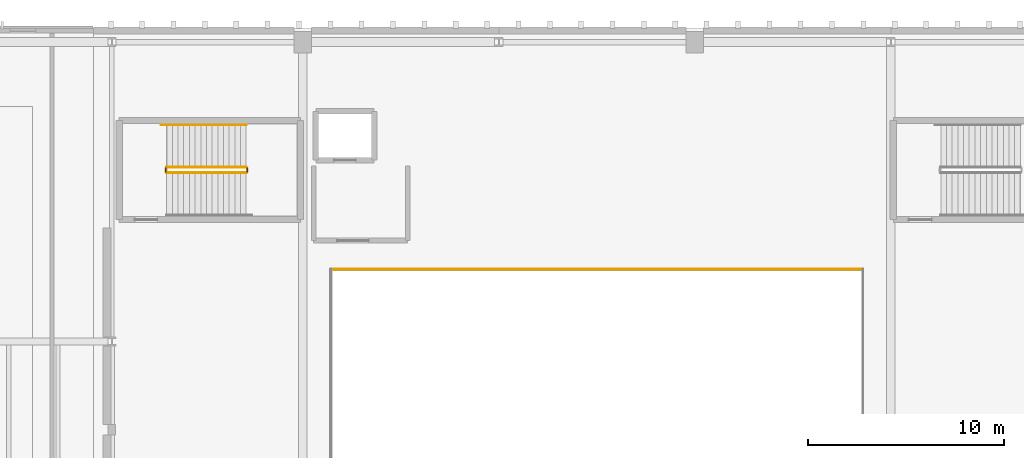
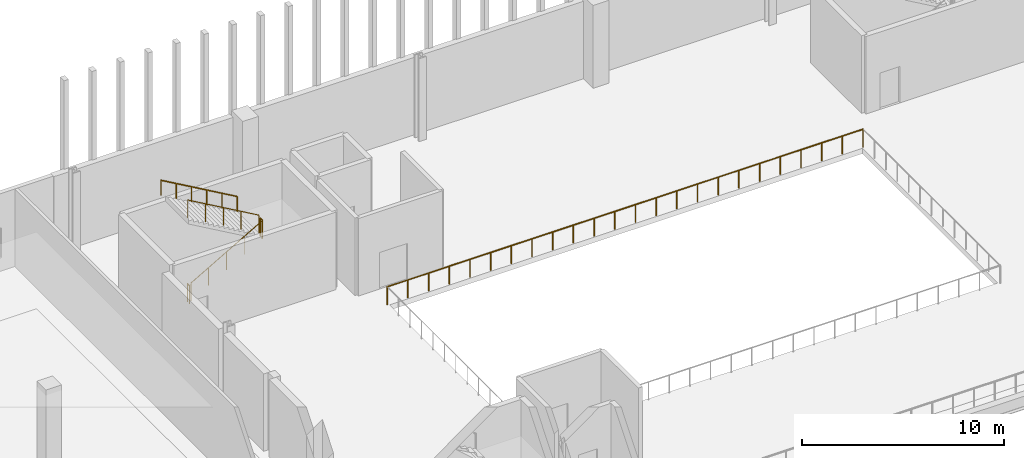
# One storey, part 76 of 81: 6 railings.
"""IFC4 building model written with IfcOpenShell, lengths in metres."""

from ifc_helpers import new_model, si_unit, direction, frame, origin, origin_2d, place, context, subcontext, project, spatial, circle, extrude, material, type_object, element, save


model = new_model("IFC4")

# Units and contexts
model_context = context("Model", 3, precision=1e-05, world=origin(), true_north=direction((0.0, 1.0)))
body_context = subcontext(model_context, "Body", "Model", "MODEL_VIEW")
ifc_project = project(units=[si_unit("LENGTHUNIT", "METRE"), si_unit("AREAUNIT", "SQUARE_METRE"), si_unit("VOLUMEUNIT", "CUBIC_METRE"), si_unit("PLANEANGLEUNIT", "RADIAN"), si_unit("MASSUNIT", "GRAM", prefix="KILO")], contexts=[model_context])

# Site, building, storey
site_placement = place(None, origin())
site = spatial("IfcSite", under=ifc_project, at=site_placement, CompositionType="ELEMENT")
building_placement = place(site_placement, origin())
building = spatial("IfcBuilding", under=site, at=building_placement, Name="Trimount Lyric Opera House", CompositionType="ELEMENT")
storey_placement = place(building_placement, frame((0.0, 0.0, 5.0)))
storey = spatial("IfcBuildingStorey", under=building, at=storey_placement, Name="L01", CompositionType="ELEMENT", Elevation=5.0)

# Railings
ifc_material_1 = material(Name="Brushed Stainless Steel 316", Category="steel")
railing_type_1 = type_object("IfcRailingType", Name="RL-GRD110", PredefinedType="GUARDRAIL", material=ifc_material_1)
railing_1_placement = place(storey_placement, frame((67.050048828125, 110.60009765625, 0.166748046875)))
element("IfcRailing", 1, at=railing_1_placement, inside=storey, type_object=railing_type_1, Name="L01 ST-01 stair guard 1", PredefinedType="GUARDRAIL", context=body_context, shape_type="SweptSolid", body=[
    extrude(circle(Radius=0.02392578125, at=origin_2d()), frame((0.0, 0.0, 1.076171875), z_axis=(0.867024558463, 0.0, 0.498265406207), x_axis=(0.0, 1.0, 0.0)), (0.0, 0.0, 1.0), 4.682861328125),
    extrude(circle(Radius=0.02099609375, at=origin_2d()), origin(), (0.0, 0.0, 1.0), 1.052001953125),
    extrude(circle(Radius=0.02099609375, at=origin_2d()), frame((1.01513671875, 0.0, 0.583251953125)), (0.0, 0.0, 1.0), 1.052001953125),
    extrude(circle(Radius=0.02099609375, at=origin_2d()), frame((2.030029296875, 0.0, 1.16650390625)), (0.0, 0.0, 1.0), 1.052001953125),
    extrude(circle(Radius=0.02099609375, at=origin_2d()), frame((3.044921875, 0.0, 1.75)), (0.0, 0.0, 1.0), 1.052001953125),
    extrude(circle(Radius=0.02099609375, at=origin_2d()), frame((4.06005859375, 0.0, 2.333251953125)), (0.0, 0.0, 1.0), 1.052001953125),
])
railing_2_placement = place(storey_placement, frame((71.159912109375, 110.64990234375, 2.5)))
element("IfcRailing", 2, at=railing_2_placement, inside=storey, type_object=railing_type_1, Name="L01 ST-01 stair guard 2", PredefinedType="GUARDRAIL", context=body_context, shape_type="SweptSolid", body=[
    extrude(circle(Radius=0.02392578125, at=origin_2d()), frame((0.0, 0.0, 1.076171875), z_axis=(0.0, 1.0, 0.0), x_axis=(-1.0, 0.0, 0.0)), (0.0, 0.0, 1.0), 0.2001953125),
    extrude(circle(Radius=0.02099609375, at=origin_2d()), origin(), (0.0, 0.0, 1.0), 1.052001953125),
    extrude(circle(Radius=0.02099609375, at=origin_2d()), frame((0.0, 0.2001953125, 0.0)), (0.0, 0.0, 1.0), 1.052001953125),
])
railing_3_placement = place(storey_placement, frame((71.110107421875, 110.89990234375, 2.666748046875)))
element("IfcRailing", 3, at=railing_3_placement, inside=storey, type_object=railing_type_1, Name="L01 ST-01 stair guard 3", PredefinedType="GUARDRAIL", context=body_context, shape_type="SweptSolid", body=[
    extrude(circle(Radius=0.02392578125, at=origin_2d()), frame((0.0, 0.0, 1.076171875), z_axis=(-0.867024558463, 0.0, 0.498265406207), x_axis=(0.0, -1.0, 0.0)), (0.0, 0.0, 1.0), 4.682861328125),
    extrude(circle(Radius=0.02099609375, at=origin_2d()), origin(), (0.0, 0.0, 1.0), 1.052001953125),
    extrude(circle(Radius=0.02099609375, at=origin_2d()), frame((-1.01513671875, 0.0, 0.583251953125)), (0.0, 0.0, 1.0), 1.052001953125),
    extrude(circle(Radius=0.02099609375, at=origin_2d()), frame((-2.030029296875, 0.0, 1.16650390625)), (0.0, 0.0, 1.0), 1.052001953125),
    extrude(circle(Radius=0.02099609375, at=origin_2d()), frame((-3.044921875, 0.0, 1.75)), (0.0, 0.0, 1.0), 1.052001953125),
    extrude(circle(Radius=0.02099609375, at=origin_2d()), frame((-4.06005859375, 0.0, 2.333251953125)), (0.0, 0.0, 1.0), 1.052001953125),
])
railing_4_placement = place(storey_placement, frame((67.0, 110.64990234375, 0.0)))
element("IfcRailing", 4, at=railing_4_placement, inside=storey, type_object=railing_type_1, Name="L01 ST-01 stair guard 4", PredefinedType="GUARDRAIL", context=body_context, shape_type="SweptSolid", body=[
    extrude(circle(Radius=0.02392578125, at=origin_2d()), frame((0.0, 0.0, 1.076171875), z_axis=(0.0, 1.0, 0.0), x_axis=(-1.0, 0.0, 0.0)), (0.0, 0.0, 1.0), 0.2001953125),
    extrude(circle(Radius=0.02099609375, at=origin_2d()), origin(), (0.0, 0.0, 1.0), 1.052001953125),
    extrude(circle(Radius=0.02099609375, at=origin_2d()), frame((0.0, 0.2001953125, 0.0)), (0.0, 0.0, 1.0), 1.052001953125),
])
railing_5_placement = place(storey_placement, frame((102.580078125, 105.679931640625, 0.0)))
element("IfcRailing", 5, at=railing_5_placement, inside=storey, type_object=railing_type_1, Name="L01 atrium and balcony guard GRD-FLY-L01-N", PredefinedType="GUARDRAIL", context=body_context, shape_type="SweptSolid", body=[
    extrude(circle(Radius=0.02392578125, at=origin_2d()), frame((0.0, 0.0, 1.076171875), z_axis=(-1.0, 0.0, 0.0), x_axis=(0.0, -1.0, 0.0)), (0.0, 0.0, 1.0), 27.16015625),
    extrude(circle(Radius=0.02099609375, at=origin_2d()), origin(), (0.0, 0.0, 1.0), 1.052001953125),
    extrude(circle(Radius=0.02099609375, at=origin_2d()), frame((-1.180908203125, 0.0, 0.0)), (0.0, 0.0, 1.0), 1.052001953125),
    extrude(circle(Radius=0.02099609375, at=origin_2d()), frame((-2.36181640625, 0.0, 0.0)), (0.0, 0.0, 1.0), 1.052001953125),
    extrude(circle(Radius=0.02099609375, at=origin_2d()), frame((-3.542724609375, 0.0, 0.0)), (0.0, 0.0, 1.0), 1.052001953125),
    extrude(circle(Radius=0.02099609375, at=origin_2d()), frame((-4.723388671875, 0.0, 0.0)), (0.0, 0.0, 1.0), 1.052001953125),
    extrude(circle(Radius=0.02099609375, at=origin_2d()), frame((-5.904296875, 0.0, 0.0)), (0.0, 0.0, 1.0), 1.052001953125),
    extrude(circle(Radius=0.02099609375, at=origin_2d()), frame((-7.085205078125, 0.0, 0.0)), (0.0, 0.0, 1.0), 1.052001953125),
    extrude(circle(Radius=0.02099609375, at=origin_2d()), frame((-8.26611328125, 0.0, 0.0)), (0.0, 0.0, 1.0), 1.052001953125),
    extrude(circle(Radius=0.02099609375, at=origin_2d()), frame((-9.447021484375, 0.0, 0.0)), (0.0, 0.0, 1.0), 1.052001953125),
    extrude(circle(Radius=0.02099609375, at=origin_2d()), frame((-10.6279296875, 0.0, 0.0)), (0.0, 0.0, 1.0), 1.052001953125),
    extrude(circle(Radius=0.02099609375, at=origin_2d()), frame((-11.808837890625, 0.0, 0.0)), (0.0, 0.0, 1.0), 1.052001953125),
    extrude(circle(Radius=0.02099609375, at=origin_2d()), frame((-12.98974609375, 0.0, 0.0)), (0.0, 0.0, 1.0), 1.052001953125),
    extrude(circle(Radius=0.02099609375, at=origin_2d()), frame((-14.17041015625, 0.0, 0.0)), (0.0, 0.0, 1.0), 1.052001953125),
    extrude(circle(Radius=0.02099609375, at=origin_2d()), frame((-15.351318359375, 0.0, 0.0)), (0.0, 0.0, 1.0), 1.052001953125),
    extrude(circle(Radius=0.02099609375, at=origin_2d()), frame((-16.5322265625, 0.0, 0.0)), (0.0, 0.0, 1.0), 1.052001953125),
    extrude(circle(Radius=0.02099609375, at=origin_2d()), frame((-17.713134765625, 0.0, 0.0)), (0.0, 0.0, 1.0), 1.052001953125),
    extrude(circle(Radius=0.02099609375, at=origin_2d()), frame((-18.89404296875, 0.0, 0.0)), (0.0, 0.0, 1.0), 1.052001953125),
    extrude(circle(Radius=0.02099609375, at=origin_2d()), frame((-20.074951171875, 0.0, 0.0)), (0.0, 0.0, 1.0), 1.052001953125),
    extrude(circle(Radius=0.02099609375, at=origin_2d()), frame((-21.255859375, 0.0, 0.0)), (0.0, 0.0, 1.0), 1.052001953125),
    extrude(circle(Radius=0.02099609375, at=origin_2d()), frame((-22.436767578125, 0.0, 0.0)), (0.0, 0.0, 1.0), 1.052001953125),
    extrude(circle(Radius=0.02099609375, at=origin_2d()), frame((-23.617431640625, 0.0, 0.0)), (0.0, 0.0, 1.0), 1.052001953125),
    extrude(circle(Radius=0.02099609375, at=origin_2d()), frame((-24.79833984375, 0.0, 0.0)), (0.0, 0.0, 1.0), 1.052001953125),
    extrude(circle(Radius=0.02099609375, at=origin_2d()), frame((-25.979248046875, 0.0, 0.0)), (0.0, 0.0, 1.0), 1.052001953125),
    extrude(circle(Radius=0.02099609375, at=origin_2d()), frame((-27.16015625, 0.0, 0.0)), (0.0, 0.0, 1.0), 1.052001953125),
])
ifc_material_2 = material(Name="Brushed Stainless Steel 316", Category="steel")
railing_type_2 = type_object("IfcRailingType", Name="RL-HND092", PredefinedType="HANDRAIL", material=ifc_material_2)
railing_6_placement = place(storey_placement, frame((71.110107421875, 113.050048828125, 2.666748046875)))
element("IfcRailing", 6, at=railing_6_placement, inside=storey, type_object=railing_type_2, Name="L01 ST-01 stair handrail 2", PredefinedType="HANDRAIL", context=body_context, shape_type="SweptSolid", body=[
    extrude(circle(Radius=0.0224609375, at=origin_2d()), frame((0.0, 0.0, 0.8974609375), z_axis=(-0.866766478692, 0.0, 0.498714218181), x_axis=(0.0, -1.0, 0.0)), (0.0, 0.0, 1.0), 5.018798828125),
    extrude(circle(Radius=0.02099609375, at=origin_2d()), origin(), (0.0, 0.0, 1.0), 0.875),
    extrude(circle(Radius=0.02099609375, at=origin_2d()), frame((-0.8701171875, 0.0, 0.50048828125)), (0.0, 0.0, 1.0), 0.875),
    extrude(circle(Radius=0.02099609375, at=origin_2d()), frame((-1.739990234375, 0.0, 1.001220703125)), (0.0, 0.0, 1.0), 0.875),
    extrude(circle(Radius=0.02099609375, at=origin_2d()), frame((-2.610107421875, 0.0, 1.501708984375)), (0.0, 0.0, 1.0), 0.875),
    extrude(circle(Radius=0.02099609375, at=origin_2d()), frame((-3.47998046875, 0.0, 2.00244140625)), (0.0, 0.0, 1.0), 0.875),
    extrude(circle(Radius=0.02099609375, at=origin_2d()), frame((-4.35009765625, 0.0, 2.5029296875)), (0.0, 0.0, 1.0), 0.875),
])

save(model, "model.ifc")
